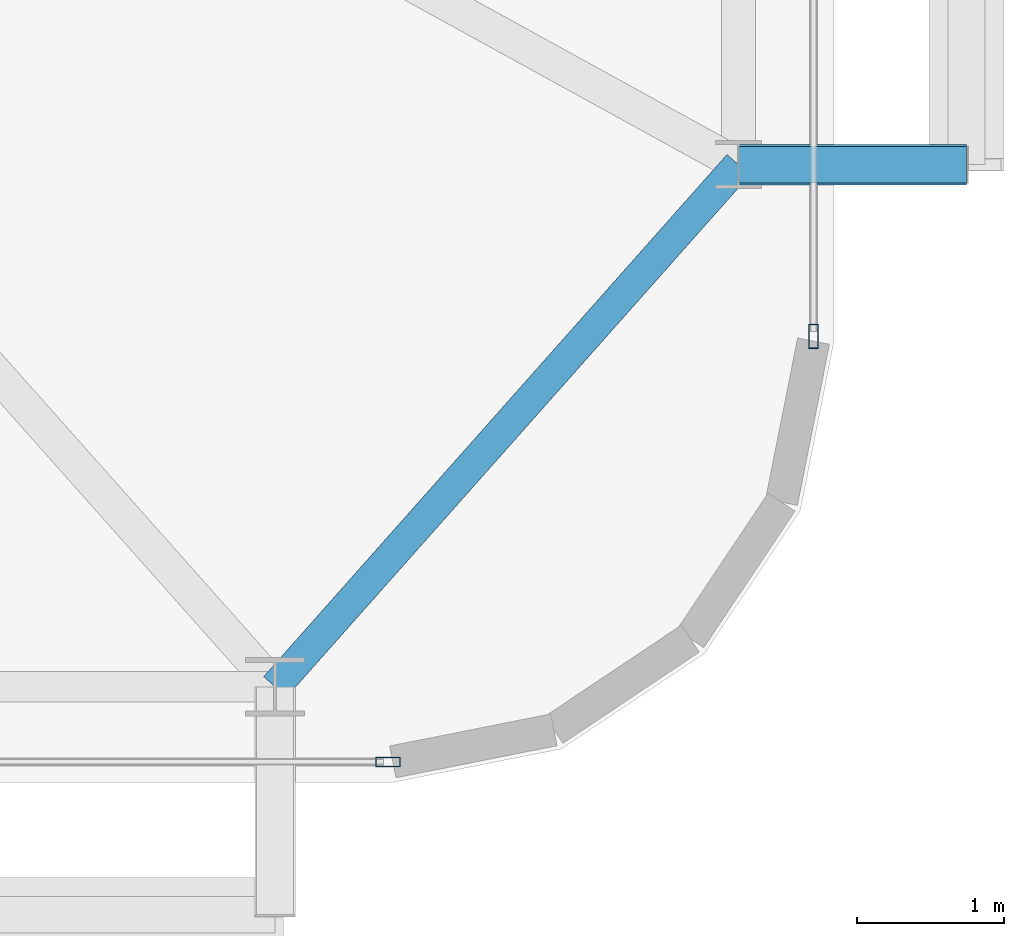
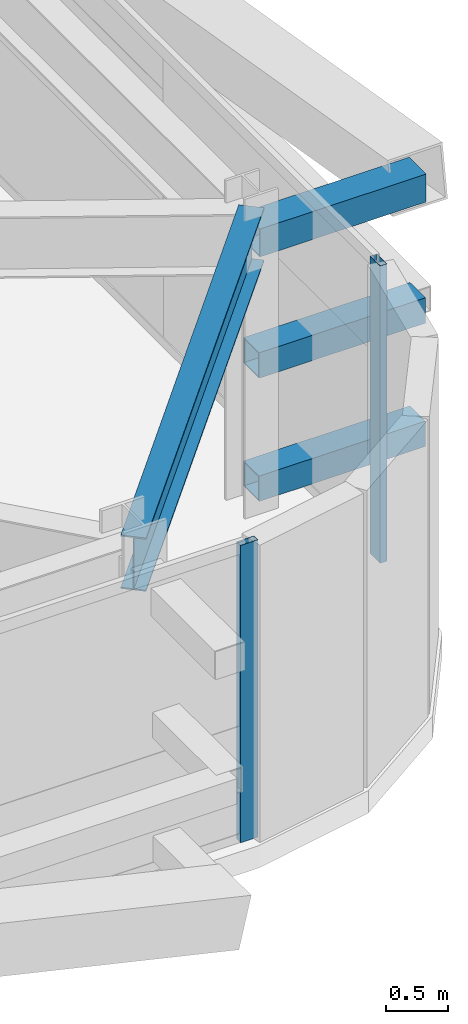
# One storey, part 15 of 44: 5 members, 1 beam, 2 elements without a shape of their own.
"""IFC4 building model written with IfcOpenShell, lengths in metres."""

from ifc_helpers import new_model, si_unit, direction, frame, origin, origin_2d, place, context, subcontext, project, spatial, hollow_rectangle, i_section, extrude, source, transform, mapped, material, layer, layer_set, material_profile, profile_set, type_object, element, aggregate, save


model = new_model("IFC4")

# Units and contexts
model_context = context("Model", 3, precision=1e-05, world=origin(), true_north=direction((0.0, 1.0)))
body_context = subcontext(model_context, "Body", "Model", "MODEL_VIEW")
ifc_project = project(units=[si_unit("LENGTHUNIT", "METRE"), si_unit("AREAUNIT", "SQUARE_METRE"), si_unit("VOLUMEUNIT", "CUBIC_METRE"), si_unit("PLANEANGLEUNIT", "RADIAN"), si_unit("MASSUNIT", "GRAM", prefix="KILO")], contexts=[model_context])

# Site, building, storey
site_placement = place(None, origin())
site = spatial("IfcSite", under=ifc_project, at=site_placement, CompositionType="ELEMENT")
building_placement = place(site_placement, origin())
building = spatial("IfcBuilding", under=site, at=building_placement, Name="Taldren Reach Tower", CompositionType="ELEMENT")
storey_placement = place(building_placement, frame((0.0, 0.0, 38.85009765625)))
storey = spatial("IfcBuildingStorey", under=building, at=storey_placement, Name="L11", CompositionType="ELEMENT", Elevation=38.85009765625)

# Beam
ifc_material_1 = material(Name="Steel Gr 350 (350PLUS)", Category="steel")
ifc_material_profile_1 = material_profile(ifc_material_1, i_section(OverallWidth=0.208984375, OverallDepth=0.528076171875, WebThickness=0.009521484375, FlangeThickness=0.01318359375, at=origin_2d()), Name="530UB82.0")
ifc_profile_set_1 = profile_set([ifc_material_profile_1], Name="Steel Gr 350 (350PLUS)")
beam_type = type_object("IfcBeamType", Name="SP-UB530B", PredefinedType="SPANDREL", material=ifc_profile_set_1)
shared_shape_1 = source(origin(), body_context, "Body", "SweptSolid", [
    extrude(i_section(OverallWidth=0.208984375, OverallDepth=0.528076171875, WebThickness=0.009521484375, FlangeThickness=0.01318359375, at=origin_2d()), origin(), (0.0, 0.0, 1.0), 4.74609375),
])
beam_placement = place(storey_placement, frame((61.199951171875, 2.14990234375, 2.666015625), z_axis=(0.663721843779, 0.747979487747, 0.0), x_axis=(-0.747979487747, 0.663721843779, 0.0)))
element("IfcBeam", 1, at=beam_placement, inside=storey, type_object=beam_type, Name="Perimeter spandrel B1 S6-E1 L11", PredefinedType="SPANDREL", context=body_context, shape_type="MappedRepresentation", body=[
    mapped(shared_shape_1, transform((0.0, 0.0, 0.0), scale=1.0)),
])

# Members
ifc_material_2 = material(Name="Steel Gr 450 (C450L0)", Category="steel")
ifc_material_profile_2 = material_profile(ifc_material_2, hollow_rectangle(XDim=0.27490234375, YDim=0.27490234375, WallThickness=0.00927734375, at=origin_2d()), Name="275x275x9.3SHS")
ifc_profile_set_2 = profile_set([ifc_material_profile_2], Name="Steel Gr 450 (C450L0)")
member_type_1 = type_object("IfcMemberType", Name="MB-TIE273", PredefinedType="STRUT", material=ifc_profile_set_2)
shared_shape_2 = source(origin(), body_context, "Body", "SweptSolid", [
    extrude(hollow_rectangle(XDim=0.27490234375, YDim=0.27490234375, WallThickness=0.00927734375, at=origin_2d()), origin(), (0.0, 0.0, 1.0), 1.5498046875),
])
member_1_placement = place(storey_placement, frame((64.35009765625, 5.699951171875, 2.64990234375), z_axis=(1.0, 0.0, 0.0), x_axis=(0.0, 1.0, 0.0)))
element("IfcMember", 2, at=member_1_placement, inside=storey, type_object=member_type_1, Name="Exoskeleton diaphragm tie strut B1-E1 L11", PredefinedType="STRUT", context=body_context, shape_type="MappedRepresentation", body=[
    mapped(shared_shape_2, transform((0.0, 0.0, 0.0), scale=1.0)),
])
ifc_material_3 = material(Name="Steel Gr 350 (C350L0)", Category="steel")
ifc_material_profile_3 = material_profile(ifc_material_3, hollow_rectangle(XDim=0.25, YDim=0.25, WallThickness=0.010009765625, at=origin_2d()), Name="250x250x10.0SHS")
ifc_profile_set_3 = profile_set([ifc_material_profile_3], Name="Steel Gr 350 (C350L0)")
member_type_2 = type_object("IfcMemberType", Name="MB-POST250", PredefinedType="POST", material=ifc_profile_set_3)
shared_shape_3 = source(origin(), body_context, "Body", "SweptSolid", [
    extrude(hollow_rectangle(XDim=0.25, YDim=0.25, WallThickness=0.010009765625, at=origin_2d()), origin(), (0.0, 0.0, 1.0), 1.5498046875),
])
for number, where, z_axis, x_axis, name in (
    (3, (64.35009765625, 5.699951171875, 0.219970703125), (1.0, 0.0, 0.0), (0.0, 1.0, 0.0), "Exoskeleton base diaphragm tie strut B1-E1 L11"),
    (4, (64.35009765625, 5.699951171875, 1.434814453125), (1.0, 0.0, 0.0), (0.0, 1.0, 0.0), "Exoskeleton mid-tier diaphragm tie B1-E1 L11"),
):
    element("IfcMember", number, at=place(storey_placement, frame(where, z_axis=z_axis, x_axis=x_axis)), inside=storey, type_object=member_type_2, Name=name, PredefinedType="POST", context=body_context, shape_type="MappedRepresentation", body=[
        mapped(shared_shape_3, transform((0.0, 0.0, 0.0), scale=1.0)),
    ])

# Curtain wall, member
ifc_material_4 = material(Name="Aluminium and Low-E Glass Unitised System", Category="aluminium")
ifc_layer = layer(ifc_material_4, 0.159912109375)
ifc_layer_set = layer_set([ifc_layer], Name="Aluminium and Low-E Glass Unitised System")
curtain_wall_type = type_object("IfcCurtainWallType", Name="CW-SYS-2", PredefinedType="NOTDEFINED", material=ifc_layer_set)
curtain_wall_1_placement = place(storey_placement, origin())
curtain_wall_1 = element("IfcCurtainWall", 5, at=curtain_wall_1_placement, inside=storey, type_object=curtain_wall_type, Name="Unitised curtain wall CW-L11-S", PredefinedType="NOTDEFINED")
ifc_material_5 = material(Name="Anodised Aluminium 6063-T6", Category="aluminium")
ifc_material_profile_4 = material_profile(ifc_material_5, hollow_rectangle(XDim=0.06494140625, YDim=0.1650390625, WallThickness=0.00390625, at=origin_2d()), Name="ALU-165x65x4RHS")
ifc_profile_set_4 = profile_set([ifc_material_profile_4], Name="Anodised Aluminium 6063-T6")
member_type_3 = type_object("IfcMemberType", Name="CW-MUL-165", PredefinedType="MULLION", material=ifc_profile_set_4)
shared_shape_4 = source(origin(), body_context, "Body", "SweptSolid", [
    extrude(hollow_rectangle(XDim=0.06494140625, YDim=0.1650390625, WallThickness=0.00390625, at=origin_2d()), origin(), (0.0, 0.0, 1.0), 2.929931640625),
])
member_2_placement = place(storey_placement, frame((61.967529296875, 1.639892578125, 0.0), z_axis=(0.0, 0.0, 1.0), x_axis=(0.0, 1.0, 0.0)))
member_2 = element("IfcMember", 6, at=member_2_placement, type_object=member_type_3, Name="CW-2 mullion 6", PredefinedType="MULLION", context=body_context, shape_type="MappedRepresentation", body=[
    mapped(shared_shape_4, transform((0.0, 0.0, 0.0), scale=1.0)),
])
aggregate(curtain_wall_1, [member_2])

curtain_wall_2_placement = place(storey_placement, origin())
curtain_wall_2 = element("IfcCurtainWall", 7, at=curtain_wall_2_placement, inside=storey, type_object=curtain_wall_type, Name="Unitised curtain wall CW-L11-E", PredefinedType="NOTDEFINED")
member_3_placement = place(storey_placement, frame((64.860107421875, 4.532470703125, 0.0), z_axis=(0.0, 0.0, 1.0), x_axis=(-1.0, 0.0, 0.0)))
member_3 = element("IfcMember", 8, at=member_3_placement, type_object=member_type_3, Name="CW-2 mullion 1", PredefinedType="MULLION", context=body_context, shape_type="MappedRepresentation", body=[
    mapped(shared_shape_4, transform((0.0, 0.0, 0.0), scale=1.0)),
])
aggregate(curtain_wall_2, [member_3])

save(model, "model.ifc")
